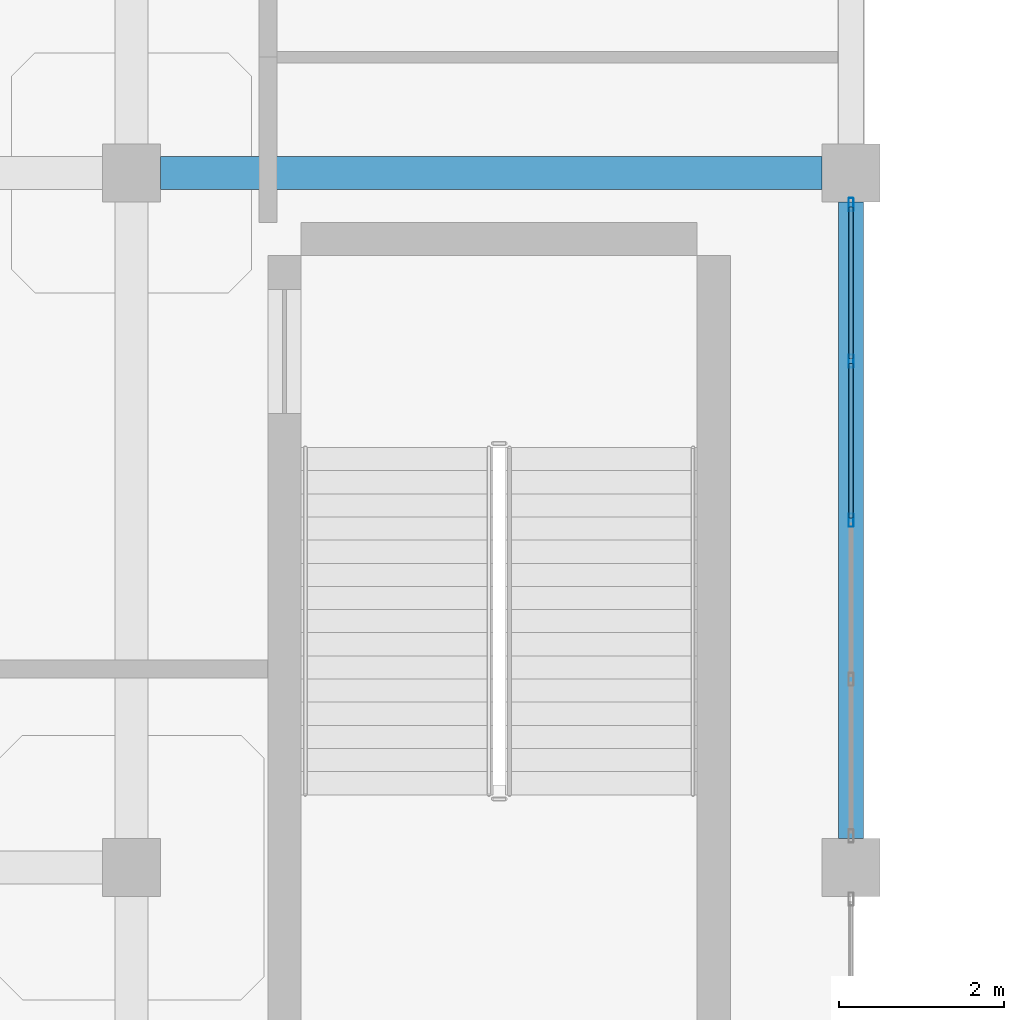
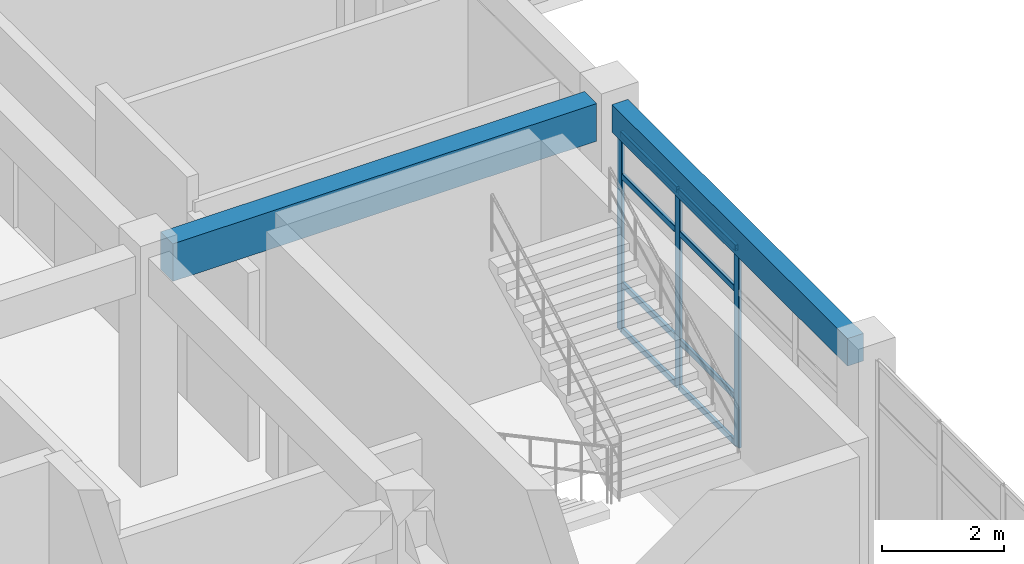
# One storey, part 22 of 76: 11 members, 2 beams, 1 element without a shape of its own.
"""IFC4 building model written with IfcOpenShell, lengths in metres."""

from ifc_helpers import new_model, si_unit, derived_unit, direction, frame, origin, origin_2d, place, context, subcontext, project, spatial, rectangle, hollow_rectangle, extrude, material, layer, layer_set, material_profile, profile_set, type_object, element, aggregate, save


model = new_model("IFC4")

# Units and contexts
model_context = context("Model", 3, precision=1e-05, world=origin(), true_north=direction((0.0, 1.0)))
body_context = subcontext(model_context, "Body", "Model", "MODEL_VIEW")
ifc_project = project(units=[si_unit("LENGTHUNIT", "METRE"), si_unit("AREAUNIT", "SQUARE_METRE"), si_unit("VOLUMEUNIT", "CUBIC_METRE"), si_unit("PLANEANGLEUNIT", "RADIAN"), si_unit("MASSUNIT", "GRAM", prefix="KILO"), derived_unit("THERMALTRANSMITTANCEUNIT", [(si_unit("MASSUNIT", "GRAM", prefix="KILO"), 1), (si_unit("TIMEUNIT", "SECOND"), -3), (si_unit("THERMODYNAMICTEMPERATUREUNIT", "KELVIN"), -1)])], contexts=[model_context])

# Site, building, storey
site_placement = place(None, origin())
site = spatial("IfcSite", under=ifc_project, at=site_placement, CompositionType="ELEMENT")
building_placement = place(site_placement, origin())
building = spatial("IfcBuilding", under=site, at=building_placement, Name="Qinzheling Arcade Emporium", CompositionType="ELEMENT")
storey_placement = place(building_placement, frame((0.0, 0.0, 26.699951171875)))
storey = spatial("IfcBuildingStorey", under=building, at=storey_placement, Name="L06", CompositionType="ELEMENT", Elevation=26.699951171875)

# Curtain wall, members
ifc_material_1 = material(Name="Anodised aluminium and solar-control double glazing", Category="aluminium")
ifc_layer = layer(ifc_material_1, 0.159912109375, Name="Anodised aluminium and solar-control double glazing", Category="aluminium")
ifc_layer_set = layer_set([ifc_layer], Name="Anodised aluminium and solar-control double glazing")
curtain_wall_type = type_object("IfcCurtainWallType", Name="Arcade Portal Glazed Curtain Wall", PredefinedType="NOTDEFINED", material=ifc_layer_set)
curtain_wall_placement = place(storey_placement, origin())
curtain_wall = element("IfcCurtainWall", 1, at=curtain_wall_placement, inside=storey, type_object=curtain_wall_type, Name="Curtain Wall CW-L06-380", PredefinedType="NOTDEFINED")
ifc_material_2 = material(Name="Anodised aluminium 6063-T6", Category="aluminium")
ifc_material_profile_1 = material_profile(ifc_material_2, hollow_rectangle(XDim=0.06005859375, YDim=0.159912109375, WallThickness=0.00390625, InnerFilletRadius=0.00390625, OuterFilletRadius=0.008056640625, at=origin_2d()), Name="RHS 160x60x4", Category="aluminium")
ifc_profile_set_1 = profile_set([ifc_material_profile_1], Name="Anodised aluminium 6063-T6")
member_type_1 = type_object("IfcMemberType", Name="Curtain Wall Mullion RHS160x60", PredefinedType="MULLION", material=ifc_profile_set_1)
member_1_placement = place(storey_placement, frame((69.60009765625, 33.218017578125, 0.0), z_axis=(0.0, 0.0, 1.0), x_axis=(1.0, 0.0, 0.0)))
member_1 = element("IfcMember", 2, at=member_1_placement, type_object=member_type_1, Name="CW05 mullion 1", PredefinedType="MULLION", context=body_context, shape_type="SweptSolid", body=[
    extrude(hollow_rectangle(XDim=0.06005859375, YDim=0.159912109375, WallThickness=0.00390625, InnerFilletRadius=0.00390625, OuterFilletRadius=0.008056640625, at=origin_2d()), origin(), (0.0, 0.0, 1.0), 3.955078125),
])
member_2_placement = place(storey_placement, frame((69.60009765625, 31.323974609375, 0.0), z_axis=(0.0, 0.0, 1.0), x_axis=(1.0, 0.0, 0.0)))
member_2 = element("IfcMember", 3, at=member_2_placement, type_object=member_type_1, Name="CW05 mullion 2", PredefinedType="MULLION", context=body_context, shape_type="SweptSolid", body=[
    extrude(hollow_rectangle(XDim=0.06005859375, YDim=0.159912109375, WallThickness=0.00390625, InnerFilletRadius=0.00390625, OuterFilletRadius=0.008056640625, at=origin_2d()), origin(), (0.0, 0.0, 1.0), 3.955078125),
])
member_3_placement = place(storey_placement, frame((69.60009765625, 29.39990234375, 0.0), z_axis=(0.0, 0.0, 1.0), x_axis=(1.0, 0.0, 0.0)))
member_3 = element("IfcMember", 4, at=member_3_placement, type_object=member_type_1, Name="CW05 mullion 3", PredefinedType="MULLION", context=body_context, shape_type="SweptSolid", body=[
    extrude(hollow_rectangle(XDim=0.06005859375, YDim=0.159912109375, WallThickness=0.00390625, InnerFilletRadius=0.00390625, OuterFilletRadius=0.008056640625, at=origin_2d()), origin(), (0.0, 0.0, 1.0), 3.955078125),
])
ifc_material_profile_2 = material_profile(ifc_material_2, hollow_rectangle(XDim=0.06005859375, YDim=0.1201171875, WallThickness=0.00390625, InnerFilletRadius=0.00390625, OuterFilletRadius=0.008056640625, at=origin_2d()), Name="RHS 120x60x4", Category="aluminium")
ifc_profile_set_2 = profile_set([ifc_material_profile_2], Name="Anodised aluminium 6063-T6")
member_type_2 = type_object("IfcMemberType", Name="Curtain Wall Transom RHS120x60", PredefinedType="USERDEFINED", material=ifc_profile_set_2)
member_4_placement = place(storey_placement, frame((69.60009765625, 33.18798828125, 0.030029296875), z_axis=(0.0, -1.0, 0.0), x_axis=(1.0, 0.0, 0.0)))
member_4 = element("IfcMember", 5, at=member_4_placement, type_object=member_type_2, Name="CW05 transom 1.1", ObjectType="TRANSOM", PredefinedType="USERDEFINED", context=body_context, shape_type="SweptSolid", body=[
    extrude(hollow_rectangle(XDim=0.06005859375, YDim=0.1201171875, WallThickness=0.00390625, InnerFilletRadius=0.00390625, OuterFilletRadius=0.008056640625, at=origin_2d()), origin(), (0.0, 0.0, 1.0), 1.833984375),
])
member_5_placement = place(storey_placement, frame((69.60009765625, 33.18798828125, 0.949951171875), z_axis=(0.0, -1.0, 0.0), x_axis=(1.0, 0.0, 0.0)))
member_5 = element("IfcMember", 6, at=member_5_placement, type_object=member_type_2, Name="CW05 transom 1.2", ObjectType="TRANSOM", PredefinedType="USERDEFINED", context=body_context, shape_type="SweptSolid", body=[
    extrude(hollow_rectangle(XDim=0.06005859375, YDim=0.1201171875, WallThickness=0.00390625, InnerFilletRadius=0.00390625, OuterFilletRadius=0.008056640625, at=origin_2d()), origin(), (0.0, 0.0, 1.0), 1.833984375),
])
member_6_placement = place(storey_placement, frame((69.60009765625, 33.18798828125, 3.10498046875), z_axis=(0.0, -1.0, 0.0), x_axis=(1.0, 0.0, 0.0)))
member_6 = element("IfcMember", 7, at=member_6_placement, type_object=member_type_2, Name="CW05 transom 1.3", ObjectType="TRANSOM", PredefinedType="USERDEFINED", context=body_context, shape_type="SweptSolid", body=[
    extrude(hollow_rectangle(XDim=0.06005859375, YDim=0.1201171875, WallThickness=0.00390625, InnerFilletRadius=0.00390625, OuterFilletRadius=0.008056640625, at=origin_2d()), origin(), (0.0, 0.0, 1.0), 1.833984375),
])
member_7_placement = place(storey_placement, frame((69.60009765625, 33.18798828125, 3.925048828125), z_axis=(0.0, -1.0, 0.0), x_axis=(1.0, 0.0, 0.0)))
member_7 = element("IfcMember", 8, at=member_7_placement, type_object=member_type_2, Name="CW05 transom 1.4", ObjectType="TRANSOM", PredefinedType="USERDEFINED", context=body_context, shape_type="SweptSolid", body=[
    extrude(hollow_rectangle(XDim=0.06005859375, YDim=0.1201171875, WallThickness=0.00390625, InnerFilletRadius=0.00390625, OuterFilletRadius=0.008056640625, at=origin_2d()), origin(), (0.0, 0.0, 1.0), 1.833984375),
])
member_8_placement = place(storey_placement, frame((69.60009765625, 31.2939453125, 0.030029296875), z_axis=(0.0, -1.0, 0.0), x_axis=(1.0, 0.0, 0.0)))
member_8 = element("IfcMember", 9, at=member_8_placement, type_object=member_type_2, Name="CW05 transom 2.1", ObjectType="TRANSOM", PredefinedType="USERDEFINED", context=body_context, shape_type="SweptSolid", body=[
    extrude(hollow_rectangle(XDim=0.06005859375, YDim=0.1201171875, WallThickness=0.00390625, InnerFilletRadius=0.00390625, OuterFilletRadius=0.008056640625, at=origin_2d()), origin(), (0.0, 0.0, 1.0), 1.864013671875),
])
member_9_placement = place(storey_placement, frame((69.60009765625, 31.2939453125, 0.949951171875), z_axis=(0.0, -1.0, 0.0), x_axis=(1.0, 0.0, 0.0)))
member_9 = element("IfcMember", 10, at=member_9_placement, type_object=member_type_2, Name="CW05 transom 2.2", ObjectType="TRANSOM", PredefinedType="USERDEFINED", context=body_context, shape_type="SweptSolid", body=[
    extrude(hollow_rectangle(XDim=0.06005859375, YDim=0.1201171875, WallThickness=0.00390625, InnerFilletRadius=0.00390625, OuterFilletRadius=0.008056640625, at=origin_2d()), origin(), (0.0, 0.0, 1.0), 1.864013671875),
])
member_10_placement = place(storey_placement, frame((69.60009765625, 31.2939453125, 3.10498046875), z_axis=(0.0, -1.0, 0.0), x_axis=(1.0, 0.0, 0.0)))
member_10 = element("IfcMember", 11, at=member_10_placement, type_object=member_type_2, Name="CW05 transom 2.3", ObjectType="TRANSOM", PredefinedType="USERDEFINED", context=body_context, shape_type="SweptSolid", body=[
    extrude(hollow_rectangle(XDim=0.06005859375, YDim=0.1201171875, WallThickness=0.00390625, InnerFilletRadius=0.00390625, OuterFilletRadius=0.008056640625, at=origin_2d()), origin(), (0.0, 0.0, 1.0), 1.864013671875),
])
member_11_placement = place(storey_placement, frame((69.60009765625, 31.2939453125, 3.925048828125), z_axis=(0.0, -1.0, 0.0), x_axis=(1.0, 0.0, 0.0)))
member_11 = element("IfcMember", 12, at=member_11_placement, type_object=member_type_2, Name="CW05 transom 2.4", ObjectType="TRANSOM", PredefinedType="USERDEFINED", context=body_context, shape_type="SweptSolid", body=[
    extrude(hollow_rectangle(XDim=0.06005859375, YDim=0.1201171875, WallThickness=0.00390625, InnerFilletRadius=0.00390625, OuterFilletRadius=0.008056640625, at=origin_2d()), origin(), (0.0, 0.0, 1.0), 1.864013671875),
])
aggregate(curtain_wall, [member_1, member_2, member_3, member_4, member_5, member_6, member_7, member_8, member_9, member_10, member_11])

# Beams
ifc_material_3 = material(Name="Concrete C40", Category="concrete")
ifc_material_profile_3 = material_profile(ifc_material_3, rectangle(XDim=0.39990234375, YDim=0.75, at=origin_2d()), Name="RC 400x750", Category="concrete")
ifc_profile_set_3 = profile_set([ifc_material_profile_3], Name="Concrete C40")
beam_type_1 = type_object("IfcBeamType", Name="RC Interior Tie Beam 400x750 C40", PredefinedType="BEAM", material=ifc_profile_set_3)
beam_1_placement = place(storey_placement, frame((61.25, 33.60009765625, 4.14501953125), z_axis=(1.0, 0.0, 0.0), x_axis=(0.0, 1.0, 0.0)))
element("IfcBeam", 13, at=beam_1_placement, inside=storey, type_object=beam_type_1, Name="Beam BM-L06-X-E-8", PredefinedType="BEAM", context=body_context, shape_type="SweptSolid", body=[
    extrude(rectangle(XDim=0.39990234375, YDim=0.75, at=origin_2d()), origin(), (0.0, 0.0, 1.0), 8.0),
])
ifc_material_profile_4 = material_profile(ifc_material_3, rectangle(XDim=0.300048828125, YDim=0.550048828125, at=origin_2d()), Name="RC 300x550", Category="concrete")
ifc_profile_set_4 = profile_set([ifc_material_profile_4], Name="Concrete C40")
beam_type_2 = type_object("IfcBeamType", Name="RC Terrace Spandrel Beam 300x550 C40", PredefinedType="SPANDREL", material=ifc_profile_set_4)
beam_2_placement = place(storey_placement, frame((69.60009765625, 25.550048828125, 4.2451171875), z_axis=(0.0, 1.0, 0.0), x_axis=(-1.0, 0.0, 0.0)))
element("IfcBeam", 14, at=beam_2_placement, inside=storey, type_object=beam_type_2, Name="Beam BM-L06-Y-9-D", PredefinedType="SPANDREL", context=body_context, shape_type="SweptSolid", body=[
    extrude(rectangle(XDim=0.300048828125, YDim=0.550048828125, at=origin_2d()), origin(), (0.0, 0.0, 1.0), 7.699951171875),
])

save(model, "model.ifc")
